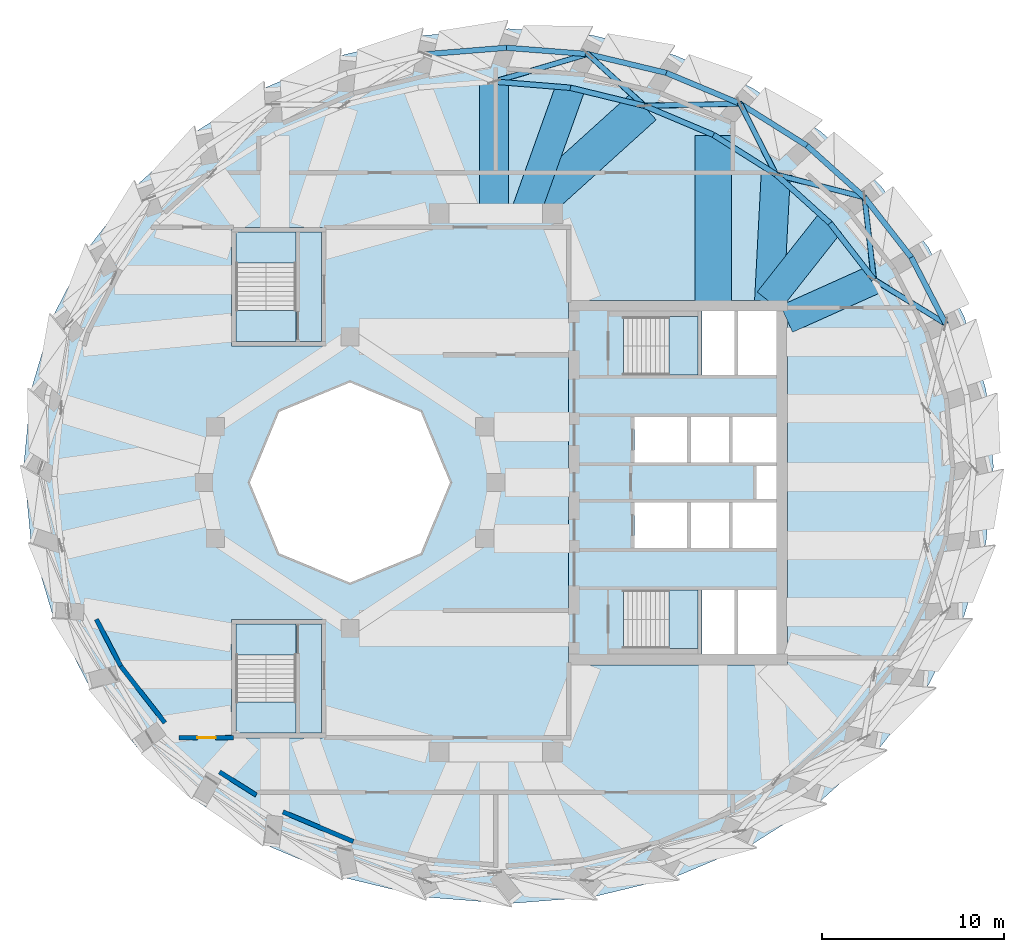
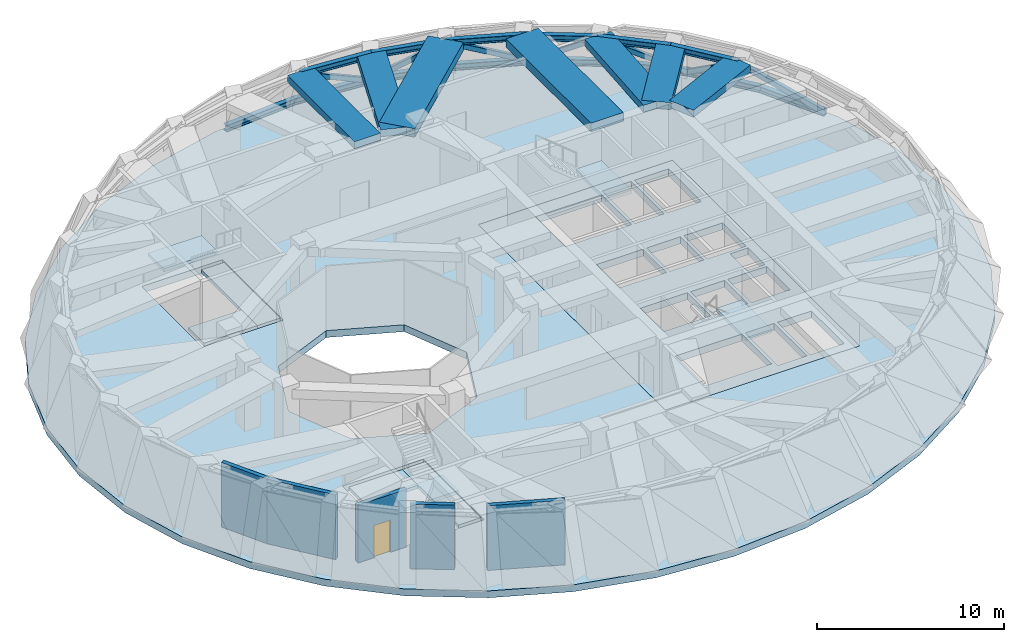
# One storey, part 4 of 14: 21 members, 10 slabs, 7 beams, 5 walls, 1 door, 1 opening, 4 elements without a shape of their own.
"""IFC4 building model written with IfcOpenShell, lengths in metres."""

import ifcopenshell
import ifcopenshell.guid

model = None  # the IFC model being written
_history = None  # IfcOwnerHistory: only IFC2X3 demands one
_inside = {}  # id of a spatial element -> (the spatial element, [elements in it])
_under = {}  # id of a project, library or spatial element -> (it, [spatial elements below it])
_declared = {}  # id of a project -> (the project, [libraries it declares])
_typed = {}  # id of a type object -> (the type object, [elements of that type])
_made_of = {}  # id of a material, layer set ... -> (it, [elements and type objects made of it])


def new_model(schema):
    """Start an empty IFC model of exactly this schema.

    Asked for "IFC4X3", IfcOpenShell would pick the latest addendum, in which some entities
    have other attributes; the version numbers below select the first issue.
    IFC2X3 requires an IfcOwnerHistory on every rooted entity: one is made here for all.
    """
    global model, _history
    if schema == "IFC4X3":
        model = ifcopenshell.file(schema_version=(4, 3, 0, 0))
    else:
        model = ifcopenshell.file(schema=schema)
    _inside.clear()
    _under.clear()
    _declared.clear()
    _typed.clear()
    _made_of.clear()
    _history = None
    if model.schema == "IFC2X3":
        org = make("IfcOrganization", Name="unknown")
        user = make(
            "IfcPersonAndOrganization",
            ThePerson=make("IfcPerson", FamilyName="unknown"),
            TheOrganization=org,
        )
        app = make(
            "IfcApplication",
            ApplicationDeveloper=org,
            Version="unknown",
            ApplicationFullName="unknown",
            ApplicationIdentifier="unknown",
        )
        _history = make(
            "IfcOwnerHistory",
            OwningUser=user,
            OwningApplication=app,
            ChangeAction="ADDED",
            CreationDate=0,
        )
    return model


def make(cls, **values):
    """One entity of the class cls with the attributes given. An attribute that is None is left unset."""
    return model.create_entity(
        cls, **{name: value for name, value in values.items() if value is not None}
    )


def rooted(cls, **values):
    """An entity with a GlobalId (a new one), such as an element, a storey or a relation."""
    return make(cls, GlobalId=ifcopenshell.guid.new(), OwnerHistory=_history, **values)


def si_unit(unit_type, name, prefix=None):
    """IfcSIUnit, for example si_unit("LENGTHUNIT", "METRE", prefix="MILLI")."""
    return make("IfcSIUnit", UnitType=unit_type, Prefix=prefix, Name=name)


def assignment(units):
    """IfcUnitAssignment: the units of a project."""
    return None if units is None else make("IfcUnitAssignment", Units=units)


def point(xyz):
    """IfcCartesianPoint."""
    return None if xyz is None else make("IfcCartesianPoint", Coordinates=xyz)


def direction(xyz):
    """IfcDirection."""
    return None if xyz is None else make("IfcDirection", DirectionRatios=xyz)


def frame(location, z_axis=None, x_axis=None):
    """IfcAxis2Placement3D, a coordinate frame: its origin and axes. An axis left out is left unset."""
    return make(
        "IfcAxis2Placement3D",
        Location=point(location),
        Axis=direction(z_axis),
        RefDirection=direction(x_axis),
    )


def frame_2d(location, x_axis=None):
    """IfcAxis2Placement2D, a coordinate frame in the plane: its origin and x axis."""
    return make(
        "IfcAxis2Placement2D", Location=point(location), RefDirection=direction(x_axis)
    )


def origin():
    """The frame at (0, 0, 0) with its axes left unset."""
    return frame((0.0, 0.0, 0.0))


def origin_2d():
    """The frame at (0, 0) in the plane with its x axis left unset."""
    return frame_2d((0.0, 0.0))


def place(relative_to, where):
    """IfcLocalPlacement: puts the frame where relative to a parent placement (None: the world)."""
    return make(
        "IfcLocalPlacement", PlacementRelTo=relative_to, RelativePlacement=where
    )


def context(
    kind, dimensions, precision=None, world=None, true_north=None, identifier=None
):
    """IfcGeometricRepresentationContext, for example the 3D "Model" context."""
    return make(
        "IfcGeometricRepresentationContext",
        ContextIdentifier=identifier,
        ContextType=kind,
        CoordinateSpaceDimension=dimensions,
        Precision=precision,
        WorldCoordinateSystem=world,
        TrueNorth=true_north,
    )


def subcontext(parent, identifier, kind, view, scale=None):
    """IfcGeometricRepresentationSubContext, for example "Body" below "Model"."""
    return make(
        "IfcGeometricRepresentationSubContext",
        ContextIdentifier=identifier,
        ContextType=kind,
        ParentContext=parent,
        TargetScale=scale,
        TargetView=view,
    )


def project(units=None, contexts=None):
    """IfcProject with its units and contexts."""
    return rooted(
        "IfcProject",
        Name="project",
        RepresentationContexts=contexts,
        UnitsInContext=assignment(units),
    )


def spatial(cls, under=None, at=None, **own):
    """A site, building, storey or space (cls), placed at a placement, below another one or the project."""
    s = rooted(cls, ObjectPlacement=at, **own)
    if under is not None:
        _under.setdefault(under.id(), (under, []))[1].append(s)
    return s


def polyline(points):
    """IfcPolyline through the points."""
    return make("IfcPolyline", Points=[point(p) for p in points])


def profile(cls, at=None, kind="AREA", **sizes):
    """A parametric profile (cls). Its sizes go by their IFC names, for example OverallWidth=200.0."""
    return make(cls, ProfileType=kind, Position=at, **sizes)


def rectangle(**sizes):
    """IfcRectangleProfileDef."""
    return profile("IfcRectangleProfileDef", **sizes)


def hollow_rectangle(**sizes):
    """IfcRectangleHollowProfileDef."""
    return profile("IfcRectangleHollowProfileDef", **sizes)


def i_section(**sizes):
    """IfcIShapeProfileDef."""
    return profile("IfcIShapeProfileDef", **sizes)


def outline(outer, holes=None, kind="AREA"):
    """IfcArbitraryClosedProfileDef: a profile drawn as a closed curve; with holes, ...WithVoids."""
    if holes is None:
        return make("IfcArbitraryClosedProfileDef", ProfileType=kind, OuterCurve=outer)
    return make(
        "IfcArbitraryProfileDefWithVoids",
        ProfileType=kind,
        OuterCurve=outer,
        InnerCurves=holes,
    )


def extrude(swept, where, along, depth):
    """IfcExtrudedAreaSolid: the profile swept, set in the frame where, extruded along a direction by depth."""
    return make(
        "IfcExtrudedAreaSolid",
        SweptArea=swept,
        Position=where,
        ExtrudedDirection=direction(along),
        Depth=depth,
    )


def shape(context_of_items, identifier, shape_type, items):
    """IfcShapeRepresentation: the items that make up one representation, for example the "Body"."""
    return make(
        "IfcShapeRepresentation",
        ContextOfItems=context_of_items,
        RepresentationIdentifier=identifier,
        RepresentationType=shape_type,
        Items=items,
    )


def material(Name=None, Category=None):
    """IfcMaterial."""
    return make("IfcMaterial", Name=Name, Category=Category)


def layer(
    of_material, thickness, ventilated=None, Name=None, Category=None, Priority=None
):
    """IfcMaterialLayer: one layer of a wall or slab, of a material (None: an air gap)."""
    return make(
        "IfcMaterialLayer",
        Material=of_material,
        LayerThickness=thickness,
        IsVentilated=ventilated,
        Name=Name,
        Category=Category,
        Priority=Priority,
    )


def layer_set(layers, Name=None):
    """IfcMaterialLayerSet."""
    return make("IfcMaterialLayerSet", MaterialLayers=layers, LayerSetName=Name)


def material_profile(
    of_material, cross_section, Name=None, Category=None, Priority=None
):
    """IfcMaterialProfile: a cross section and its material."""
    return make(
        "IfcMaterialProfile",
        Name=Name,
        Material=of_material,
        Profile=cross_section,
        Priority=Priority,
        Category=Category,
    )


def profile_set(profiles, Name=None, composite=None):
    """IfcMaterialProfileSet."""
    return make(
        "IfcMaterialProfileSet",
        Name=Name,
        MaterialProfiles=profiles,
        CompositeProfile=composite,
    )


def made_of(thing, what):
    """Note that an element or type object is made of a material, layer set ...; save() writes the relation."""
    if what is not None:
        _made_of.setdefault(what.id(), (what, []))[1].append(thing)
    return thing


def type_object(cls, material=None, **own):
    """A type object (cls), such as IfcWallType, which elements share."""
    return made_of(rooted(cls, **own), material)


def element(
    cls,
    number,
    at=None,
    inside=None,
    cuts=None,
    type_object=None,
    material=None,
    context=None,
    identifier="Body",
    shape_type=None,
    held_by="IfcProductDefinitionShape",
    body=None,
    shapes=None,
    **own,
):
    """One element of the class cls, such as IfcWall. Its Tag is "e" and its number.

    at: its placement. inside: the storey or other place that contains it. cuts: it is an
    opening in that element (IfcRelVoidsElement). A single representation is given by context,
    identifier, shape_type and body (its items); several are given by shapes. held_by: the class
    of the entity that holds the representations. save() writes the other relations.
    """
    e = rooted(cls, Tag="e%d" % number, ObjectPlacement=at, **own)
    if body is not None:
        shapes = [shape(context, identifier, shape_type, body)]
    if shapes is not None:
        e.Representation = make(held_by, Representations=shapes)
    if inside is not None:
        _inside.setdefault(inside.id(), (inside, []))[1].append(e)
    if cuts is not None:
        rooted(
            "IfcRelVoidsElement", RelatingBuildingElement=cuts, RelatedOpeningElement=e
        )
    if type_object is not None:
        _typed.setdefault(type_object.id(), (type_object, []))[1].append(e)
    return made_of(e, material)


def fill(opening, filler):
    """IfcRelFillsElement: the door or window that sits in an opening."""
    return rooted(
        "IfcRelFillsElement",
        RelatingOpeningElement=opening,
        RelatedBuildingElement=filler,
    )


def aggregate(whole, parts):
    """IfcRelAggregates: a whole, such as a stair, and the parts it consists of."""
    return rooted("IfcRelAggregates", RelatingObject=whole, RelatedObjects=parts)


def save(model, path):
    """Write the relations noted so far, then the file.

    IfcRelAggregates (storeys below a building ...), IfcRelContainedInSpatialStructure (elements
    in a storey), IfcRelDefinesByType, IfcRelAssociatesMaterial and IfcRelDeclares: one each for
    every whole, place, type object, material and project.
    """
    for whole, parts in _under.values():
        aggregate(whole, parts)
    for where, things in _inside.values():
        rooted(
            "IfcRelContainedInSpatialStructure",
            RelatedElements=things,
            RelatingStructure=where,
        )
    for kind, things in _typed.values():
        rooted("IfcRelDefinesByType", RelatedObjects=things, RelatingType=kind)
    for what, things in _made_of.values():
        rooted("IfcRelAssociatesMaterial", RelatedObjects=things, RelatingMaterial=what)
    for by, libraries in _declared.values():
        rooted("IfcRelDeclares", RelatingContext=by, RelatedDefinitions=libraries)
    model.write(path)


model = new_model("IFC4")

# Units and contexts
model_context = context("Model", 3, precision=1e-05, world=origin(), true_north=direction((0.0, 1.0)))
body_context = subcontext(model_context, "Body", "Model", "MODEL_VIEW")
ifc_project = project(units=[si_unit("LENGTHUNIT", "METRE"), si_unit("AREAUNIT", "SQUARE_METRE"), si_unit("VOLUMEUNIT", "CUBIC_METRE"), si_unit("PLANEANGLEUNIT", "RADIAN"), si_unit("MASSUNIT", "GRAM", prefix="KILO")], contexts=[model_context])

# Site, building, storey
site_placement = place(None, origin())
site = spatial("IfcSite", under=ifc_project, at=site_placement, CompositionType="ELEMENT")
building_placement = place(site_placement, origin())
building = spatial("IfcBuilding", under=site, at=building_placement, Name="Taillehof Tower", CompositionType="ELEMENT")
storey_placement = place(building_placement, frame((0.0, 0.0, 228.800048828125)))
storey = spatial("IfcBuildingStorey", under=building, at=storey_placement, Name="L65", CompositionType="ELEMENT", Elevation=228.800048828125)

# Members
ifc_material_1 = material(Name="Steel S460M", Category="steel")
ifc_material_profile_1 = material_profile(ifc_material_1, i_section(OverallWidth=0.300048828125, OverallDepth=0.39990234375, WebThickness=0.013427734375, FlangeThickness=0.02392578125, FilletRadius=0.027099609375, at=origin_2d()), Name="HEB 400")
ifc_profile_set_1 = profile_set([ifc_material_profile_1], Name="Steel S460M")
member_type_1 = type_object("IfcMemberType", Name="Belt truss chord HEB 400", PredefinedType="CHORD", material=ifc_profile_set_1)
member_1_placement = place(storey_placement, frame((24.682373046875, 8.7099609375, 0.89990234375), z_axis=(-0.46021291988, 0.887808576426, 0.0), x_axis=(-0.887808576426, -0.46021291988, 0.0)))
element("IfcMember", 1, at=member_1_placement, inside=storey, type_object=member_type_1, Name="Belt truss bottom chord BB03", PredefinedType="CHORD", context=body_context, shape_type="SweptSolid", body=[
    extrude(i_section(OverallWidth=0.300048828125, OverallDepth=0.39990234375, WebThickness=0.013427734375, FlangeThickness=0.02392578125, FilletRadius=0.027099609375, at=origin_2d()), origin(), (0.0, 0.0, 1.0), 4.101806640625),
])
member_2_placement = place(storey_placement, frame((22.794677734375, 12.3515625, 0.89990234375), z_axis=(-0.614600862786, 0.788838246704, 0.0), x_axis=(-0.788838246704, -0.614600862786, 0.0)))
element("IfcMember", 2, at=member_2_placement, inside=storey, type_object=member_type_1, Name="Belt truss bottom chord BB04", PredefinedType="CHORD", context=body_context, shape_type="SweptSolid", body=[
    extrude(i_section(OverallWidth=0.300048828125, OverallDepth=0.39990234375, WebThickness=0.013427734375, FlangeThickness=0.02392578125, FilletRadius=0.027099609375, at=origin_2d()), origin(), (0.0, 0.0, 1.0), 4.17138671875),
])
member_3_placement = place(storey_placement, frame((20.744140625, 11.134521484375, 4.02001953125), z_axis=(-0.613530746634, 0.789670832014, 0.0), x_axis=(-0.789670832014, -0.613530746634, 0.0)))
element("IfcMember", 3, at=member_3_placement, inside=storey, type_object=member_type_1, Name="Belt truss top chord BT04", PredefinedType="CHORD", context=body_context, shape_type="SweptSolid", body=[
    extrude(i_section(OverallWidth=0.300048828125, OverallDepth=0.39990234375, WebThickness=0.013427734375, FlangeThickness=0.02392578125, FilletRadius=0.027099609375, at=origin_2d()), origin(), (0.0, 0.0, 1.0), 3.91845703125),
])
member_4_placement = place(storey_placement, frame((20.23095703125, 15.64208984375, 0.89990234375), z_axis=(-0.743933851277, 0.668253264058, 0.0), x_axis=(-0.668253264058, -0.743933851277, 0.0)))
element("IfcMember", 4, at=member_4_placement, inside=storey, type_object=member_type_1, Name="Belt truss bottom chord BB05", PredefinedType="CHORD", context=body_context, shape_type="SweptSolid", body=[
    extrude(i_section(OverallWidth=0.300048828125, OverallDepth=0.39990234375, WebThickness=0.013427734375, FlangeThickness=0.02392578125, FilletRadius=0.027099609375, at=origin_2d()), origin(), (0.0, 0.0, 1.0), 4.24853515625),
])
member_5_placement = place(storey_placement, frame((18.340087890625, 14.228759765625, 4.02001953125), z_axis=(-0.742542278174, 0.669799197614, 0.0), x_axis=(-0.669799197614, -0.742542278174, 0.0)))
element("IfcMember", 5, at=member_5_placement, inside=storey, type_object=member_type_1, Name="Belt truss top chord BT05", PredefinedType="CHORD", context=body_context, shape_type="SweptSolid", body=[
    extrude(i_section(OverallWidth=0.300048828125, OverallDepth=0.39990234375, WebThickness=0.013427734375, FlangeThickness=0.02392578125, FilletRadius=0.027099609375, at=origin_2d()), origin(), (0.0, 0.0, 1.0), 3.990478515625),
])
member_6_placement = place(storey_placement, frame((17.0703125, 18.481201171875, 0.89990234375), z_axis=(-0.846695409349, 0.532077892594, 0.0), x_axis=(-0.532077892594, -0.846695409349, 0.0)))
element("IfcMember", 6, at=member_6_placement, inside=storey, type_object=member_type_1, Name="Belt truss bottom chord BB06", PredefinedType="CHORD", context=body_context, shape_type="SweptSolid", body=[
    extrude(i_section(OverallWidth=0.300048828125, OverallDepth=0.39990234375, WebThickness=0.013427734375, FlangeThickness=0.02392578125, FilletRadius=0.027099609375, at=origin_2d()), origin(), (0.0, 0.0, 1.0), 4.32470703125),
])
member_7_placement = place(storey_placement, frame((15.376953125, 16.901611328125, 4.02001953125), z_axis=(-0.845217383369, 0.53442265563, 0.0), x_axis=(-0.53442265563, -0.845217383369, 0.0)))
element("IfcMember", 7, at=member_7_placement, inside=storey, type_object=member_type_1, Name="Belt truss top chord BT06", PredefinedType="CHORD", context=body_context, shape_type="SweptSolid", body=[
    extrude(i_section(OverallWidth=0.300048828125, OverallDepth=0.39990234375, WebThickness=0.013427734375, FlangeThickness=0.02392578125, FilletRadius=0.027099609375, at=origin_2d()), origin(), (0.0, 0.0, 1.0), 4.061279296875),
])
member_8_placement = place(storey_placement, frame((13.40869140625, 20.7822265625, 0.89990234375), z_axis=(-0.922628811258, 0.385689093231, 0.0), x_axis=(-0.385689093231, -0.922628811258, 0.0)))
element("IfcMember", 8, at=member_8_placement, inside=storey, type_object=member_type_1, Name="Belt truss bottom chord BB07", PredefinedType="CHORD", context=body_context, shape_type="SweptSolid", body=[
    extrude(i_section(OverallWidth=0.300048828125, OverallDepth=0.39990234375, WebThickness=0.013427734375, FlangeThickness=0.02392578125, FilletRadius=0.027099609375, at=origin_2d()), origin(), (0.0, 0.0, 1.0), 4.390380859375),
])
member_9_placement = place(storey_placement, frame((11.9443359375, 19.072021484375, 4.02001953125), z_axis=(-0.921414521314, 0.38858111111, 0.0), x_axis=(-0.38858111111, -0.921414521314, 0.0)))
element("IfcMember", 9, at=member_9_placement, inside=storey, type_object=member_type_1, Name="Belt truss top chord BT07", PredefinedType="CHORD", context=body_context, shape_type="SweptSolid", body=[
    extrude(i_section(OverallWidth=0.300048828125, OverallDepth=0.39990234375, WebThickness=0.013427734375, FlangeThickness=0.02392578125, FilletRadius=0.027099609375, at=origin_2d()), origin(), (0.0, 0.0, 1.0), 4.122802734375),
])
member_10_placement = place(storey_placement, frame((9.35791015625, 22.4755859375, 0.89990234375), z_axis=(-0.972483592262, 0.232971377601, 0.0), x_axis=(-0.232971377601, -0.972483592262, 0.0)))
element("IfcMember", 10, at=member_10_placement, inside=storey, type_object=member_type_1, Name="Belt truss bottom chord BB08", PredefinedType="CHORD", context=body_context, shape_type="SweptSolid", body=[
    extrude(i_section(OverallWidth=0.300048828125, OverallDepth=0.39990234375, WebThickness=0.013427734375, FlangeThickness=0.02392578125, FilletRadius=0.027099609375, at=origin_2d()), origin(), (0.0, 0.0, 1.0), 4.43798828125),
])
member_11_placement = place(storey_placement, frame((8.1455078125, 20.674072265625, 4.02001953125), z_axis=(-0.971666512417, 0.236356063275, 0.0), x_axis=(-0.236356063275, -0.971666512417, 0.0)))
element("IfcMember", 11, at=member_11_placement, inside=storey, type_object=member_type_1, Name="Belt truss top chord BT08", PredefinedType="CHORD", context=body_context, shape_type="SweptSolid", body=[
    extrude(i_section(OverallWidth=0.300048828125, OverallDepth=0.39990234375, WebThickness=0.013427734375, FlangeThickness=0.02392578125, FilletRadius=0.027099609375, at=origin_2d()), origin(), (0.0, 0.0, 1.0), 4.16796875),
])
member_12_placement = place(storey_placement, frame((5.0419921875, 23.509521484375, 0.89990234375), z_axis=(-0.997029657278, 0.077018585475, 0.0), x_axis=(-0.077018585475, -0.997029657278, 0.0)))
element("IfcMember", 12, at=member_12_placement, inside=storey, type_object=member_type_1, Name="Belt truss bottom chord BB09", PredefinedType="CHORD", context=body_context, shape_type="SweptSolid", body=[
    extrude(i_section(OverallWidth=0.300048828125, OverallDepth=0.39990234375, WebThickness=0.013427734375, FlangeThickness=0.02392578125, FilletRadius=0.027099609375, at=origin_2d()), origin(), (0.0, 0.0, 1.0), 4.463134765625),
])
member_13_placement = place(storey_placement, frame((4.095703125, 21.6591796875, 4.02001953125), z_axis=(-0.996751450054, 0.080539101158, 0.0), x_axis=(-0.080539101158, -0.996751450054, 0.0)))
element("IfcMember", 13, at=member_13_placement, inside=storey, type_object=member_type_1, Name="Belt truss top chord BT09", PredefinedType="CHORD", context=body_context, shape_type="SweptSolid", body=[
    extrude(i_section(OverallWidth=0.300048828125, OverallDepth=0.39990234375, WebThickness=0.013427734375, FlangeThickness=0.02392578125, FilletRadius=0.027099609375, at=origin_2d()), origin(), (0.0, 0.0, 1.0), 4.1923828125),
])
member_14_placement = place(storey_placement, frame((0.592041015625, 23.853271484375, 0.89990234375), z_axis=(-0.996796114772, -0.079984408331, 0.0), x_axis=(0.079984408331, -0.996796114772, 0.0)))
element("IfcMember", 14, at=member_14_placement, inside=storey, type_object=member_type_1, Name="Belt truss bottom chord BB10", PredefinedType="CHORD", context=body_context, shape_type="SweptSolid", body=[
    extrude(i_section(OverallWidth=0.300048828125, OverallDepth=0.39990234375, WebThickness=0.013427734375, FlangeThickness=0.02392578125, FilletRadius=0.027099609375, at=origin_2d()), origin(), (0.0, 0.0, 1.0), 4.462646484375),
])
ifc_material_2 = material(Name="Steel S460M", Category="steel")
ifc_material_profile_2 = material_profile(ifc_material_2, hollow_rectangle(XDim=0.300048828125, YDim=0.300048828125, WallThickness=0.012451171875, InnerFilletRadius=0.012451171875, OuterFilletRadius=0.018798828125, at=origin_2d()), Name="RHS 300x300x12.5")
ifc_profile_set_2 = profile_set([ifc_material_profile_2], Name="Steel S460M")
member_type_2 = type_object("IfcMemberType", Name="Belt truss diagonal RHS 300x300x12.5", PredefinedType="BRACE", material=ifc_profile_set_2)
member_15_placement = place(storey_placement, frame((24.682373046875, 8.7099609375, 0.89990234375), z_axis=(-0.705924940213, 0.434600494778, 0.559278453656), x_axis=(-0.524259411841, -0.851558611662, 0.0)))
element("IfcMember", 15, at=member_15_placement, inside=storey, type_object=member_type_2, Name="Belt truss diagonal BX03", PredefinedType="BRACE", context=body_context, shape_type="SweptSolid", body=[
    extrude(hollow_rectangle(XDim=0.300048828125, YDim=0.300048828125, WallThickness=0.012451171875, InnerFilletRadius=0.012451171875, OuterFilletRadius=0.018798828125, at=origin_2d()), origin(), (0.0, 0.0, 1.0), 5.578857421875),
])
member_16_placement = place(storey_placement, frame((20.744140625, 11.134521484375, 4.02001953125), z_axis=(-0.093203469375, 0.81865635351, -0.566669999342), x_axis=(-0.993581495071, -0.113118577839, 0.0)))
element("IfcMember", 16, at=member_16_placement, inside=storey, type_object=member_type_2, Name="Belt truss diagonal BX04", PredefinedType="BRACE", context=body_context, shape_type="SweptSolid", body=[
    extrude(hollow_rectangle(XDim=0.300048828125, YDim=0.300048828125, WallThickness=0.012451171875, InnerFilletRadius=0.012451171875, OuterFilletRadius=0.018798828125, at=origin_2d()), origin(), (0.0, 0.0, 1.0), 5.506103515625),
])
member_17_placement = place(storey_placement, frame((20.23095703125, 15.64208984375, 0.89990234375), z_axis=(-0.82185264516, 0.213255094879, 0.528280696366), x_axis=(-0.251163211495, -0.967944751105, 0.0)))
element("IfcMember", 17, at=member_17_placement, inside=storey, type_object=member_type_2, Name="Belt truss diagonal BX05", PredefinedType="BRACE", context=body_context, shape_type="SweptSolid", body=[
    extrude(hollow_rectangle(XDim=0.300048828125, YDim=0.300048828125, WallThickness=0.012451171875, InnerFilletRadius=0.012451171875, OuterFilletRadius=0.018798828125, at=origin_2d()), origin(), (0.0, 0.0, 1.0), 5.90625),
])
member_18_placement = place(storey_placement, frame((15.376953125, 16.901611328125, 4.02001953125), z_axis=(-0.36760500921, 0.724768248747, -0.582732822837), x_axis=(-0.891842660897, -0.452345739676, 0.0)))
element("IfcMember", 18, at=member_18_placement, inside=storey, type_object=member_type_2, Name="Belt truss diagonal BX06", PredefinedType="BRACE", context=body_context, shape_type="SweptSolid", body=[
    extrude(hollow_rectangle(XDim=0.300048828125, YDim=0.300048828125, WallThickness=0.012451171875, InnerFilletRadius=0.012451171875, OuterFilletRadius=0.018798828125, at=origin_2d()), origin(), (0.0, 0.0, 1.0), 5.354248046875),
])
member_19_placement = place(storey_placement, frame((13.40869140625, 20.7822265625, 0.89990234375), z_axis=(-0.860071606486, -0.017673797276, 0.509867108771), x_axis=(0.02054487878, -0.999788931703, 0.0)))
element("IfcMember", 19, at=member_19_placement, inside=storey, type_object=member_type_2, Name="Belt truss diagonal BX07", PredefinedType="BRACE", context=body_context, shape_type="SweptSolid", body=[
    extrude(hollow_rectangle(XDim=0.300048828125, YDim=0.300048828125, WallThickness=0.012451171875, InnerFilletRadius=0.012451171875, OuterFilletRadius=0.018798828125, at=origin_2d()), origin(), (0.0, 0.0, 1.0), 6.119384765625),
])
member_20_placement = place(storey_placement, frame((8.1455078125, 20.674072265625, 4.02001953125), z_axis=(-0.592823569599, 0.54161838714, -0.595994746655), x_axis=(-0.674503433351, -0.738271710414, 0.0)))
element("IfcMember", 20, at=member_20_placement, inside=storey, type_object=member_type_2, Name="Belt truss diagonal BX08", PredefinedType="BRACE", context=body_context, shape_type="SweptSolid", body=[
    extrude(hollow_rectangle(XDim=0.300048828125, YDim=0.300048828125, WallThickness=0.012451171875, InnerFilletRadius=0.012451171875, OuterFilletRadius=0.018798828125, at=origin_2d()), origin(), (0.0, 0.0, 1.0), 5.235107421875),
])
member_21_placement = place(storey_placement, frame((5.0419921875, 23.509521484375, 0.89990234375), z_axis=(-0.828241216005, -0.244463727819, 0.504236029942), x_axis=(0.283086367781, -0.959094420991, 0.0)))
element("IfcMember", 21, at=member_21_placement, inside=storey, type_object=member_type_2, Name="Belt truss diagonal BX09", PredefinedType="BRACE", context=body_context, shape_type="SweptSolid", body=[
    extrude(hollow_rectangle(XDim=0.300048828125, YDim=0.300048828125, WallThickness=0.012451171875, InnerFilletRadius=0.012451171875, OuterFilletRadius=0.018798828125, at=origin_2d()), origin(), (0.0, 0.0, 1.0), 6.187744140625),
])

# Beams
ifc_material_3 = material(Name="Concrete C50/60", Category="concrete")
ifc_material_profile_3 = material_profile(ifc_material_3, rectangle(XDim=1.60009765625, YDim=0.449951171875, at=origin_2d()), Name="RC 1600x450")
ifc_profile_set_3 = profile_set([ifc_material_profile_3], Name="Concrete C50/60")
beam_type_1 = type_object("IfcBeamType", Name="Radial band beam C50/60 1600x450", PredefinedType="BEAM", material=ifc_profile_set_3)
beam_1_placement = place(storey_placement, frame((20.72802734375, 11.125, 3.994873046875), z_axis=(-0.912110813011, -0.409943733685, 0.0), x_axis=(0.409943733685, -0.912110813011, 0.0)))
element("IfcBeam", 22, at=beam_1_placement, inside=storey, type_object=beam_type_1, Name="Radial band beam RB04", PredefinedType="BEAM", context=body_context, shape_type="SweptSolid", body=[
    extrude(rectangle(XDim=1.60009765625, YDim=0.449951171875, at=origin_2d()), origin(), (0.0, 0.0, 1.0), 5.233642578125),
])
beam_2_placement = place(storey_placement, frame((18.323486328125, 14.21630859375, 3.994873046875), z_axis=(-0.619052480422, -0.785349620541, 0.0), x_axis=(0.785349620541, -0.619052480422, 0.0)))
element("IfcBeam", 23, at=beam_2_placement, inside=storey, type_object=beam_type_1, Name="Radial band beam RB05", PredefinedType="BEAM", context=body_context, shape_type="SweptSolid", body=[
    extrude(rectangle(XDim=1.60009765625, YDim=0.449951171875, at=origin_2d()), origin(), (0.0, 0.0, 1.0), 5.418701171875),
])
beam_3_placement = place(storey_placement, frame((15.359130859375, 16.884765625, 3.994873046875), z_axis=(-0.052103045939, -0.998641713831, 0.0), x_axis=(0.998641713831, -0.052103045939, 0.0)))
element("IfcBeam", 24, at=beam_3_placement, inside=storey, type_object=beam_type_1, Name="Radial band beam RB06", PredefinedType="BEAM", context=body_context, shape_type="SweptSolid", body=[
    extrude(rectangle(XDim=1.60009765625, YDim=0.449951171875, at=origin_2d()), origin(), (0.0, 0.0, 1.0), 6.9443359375),
])
beam_4_placement = place(storey_placement, frame((4.076171875, 21.62109375, 3.994873046875), z_axis=(-0.33687426523, -0.941549642571, 0.0), x_axis=(0.941549642571, -0.33687426523, 0.0)))
element("IfcBeam", 25, at=beam_4_placement, inside=storey, type_object=beam_type_1, Name="Radial band beam RB09", PredefinedType="BEAM", context=body_context, shape_type="SweptSolid", body=[
    extrude(rectangle(XDim=1.60009765625, YDim=0.449951171875, at=origin_2d()), origin(), (0.0, 0.0, 1.0), 7.27392578125),
])
beam_5_placement = place(storey_placement, frame((-0.10009765625, 21.949951171875, 3.994873046875), z_axis=(0.0, -1.0, 0.0), x_axis=(1.0, 0.0, 0.0)))
element("IfcBeam", 26, at=beam_5_placement, inside=storey, type_object=beam_type_1, Name="Radial band beam RB10", PredefinedType="BEAM", context=body_context, shape_type="SweptSolid", body=[
    extrude(rectangle(XDim=1.60009765625, YDim=0.449951171875, at=origin_2d()), origin(), (0.0, 0.0, 1.0), 7.177734375),
])
ifc_material_4 = material(Name="Concrete C50/60", Category="concrete")
ifc_material_profile_4 = material_profile(ifc_material_4, rectangle(XDim=2.0, YDim=0.550048828125, at=origin_2d()), Name="RC 2000x550")
ifc_profile_set_4 = profile_set([ifc_material_profile_4], Name="Concrete C50/60")
beam_type_2 = type_object("IfcBeamType", Name="Radial band beam C50/60 2000x550", PredefinedType="BEAM", material=ifc_profile_set_4)
beam_6_placement = place(storey_placement, frame((11.925048828125, 19.049560546875, 3.945068359375), z_axis=(0.0, -1.0, 0.0), x_axis=(1.0, 0.0, 0.0)))
element("IfcBeam", 27, at=beam_6_placement, inside=storey, type_object=beam_type_2, Name="Radial band beam RB07", PredefinedType="BEAM", context=body_context, shape_type="SweptSolid", body=[
    extrude(rectangle(XDim=2.0, YDim=0.550048828125, at=origin_2d()), origin(), (0.0, 0.0, 1.0), 9.099609375),
])
beam_7_placement = place(storey_placement, frame((8.12548828125, 20.644287109375, 3.945068359375), z_axis=(-0.742027740169, -0.670369176514, 0.0), x_axis=(0.670369176514, -0.742027740169, 0.0)))
element("IfcBeam", 28, at=beam_7_placement, inside=storey, type_object=beam_type_2, Name="Radial band beam RB08", PredefinedType="BEAM", context=body_context, shape_type="SweptSolid", body=[
    extrude(rectangle(XDim=2.0, YDim=0.550048828125, at=origin_2d()), origin(), (0.0, 0.0, 1.0), 8.47314453125),
])

# Slabs
ifc_material_5 = material(Name="Concrete C40/50", Category="concrete")
ifc_layer_1 = layer(ifc_material_5, 0.449951171875)
ifc_layer_set_1 = layer_set([ifc_layer_1], Name="Core floor slab C40/50 450")
slab_type_1 = type_object("IfcSlabType", Name="Core floor slab C40/50 450", PredefinedType="FLOOR", material=ifc_layer_set_1)
slab_1_placement = place(storey_placement, frame((0.0, 0.0, -0.449951171875)))
element("IfcSlab", 29, at=slab_1_placement, inside=storey, type_object=slab_type_1, Name="Core floor L65", PredefinedType="FLOOR", context=body_context, shape_type="SweptSolid", body=[
    extrude(outline(polyline([(4.0, -10.0), (4.0, 10.0), (16.0, 10.0), (16.0, -10.0), (4.0, -10.0)]), holes=[polyline([(11.10009765625, -9.10009765625), (11.10009765625, -5.89990234375), (7.00048828125, -5.89990234375), (7.00048828125, -9.10009765625), (11.10009765625, -9.10009765625)]), polyline([(10.5, -3.60009765625), (10.5, -1.10009765625), (7.60009765625, -1.10009765625), (7.60009765625, -3.60009765625), (10.5, -3.60009765625)]), polyline([(12.800048828125, -3.60009765625), (12.800048828125, -1.10009765625), (10.699951171875, -1.10009765625), (10.699951171875, -3.60009765625), (12.800048828125, -3.60009765625)]), polyline([(10.5, 3.60009765625), (7.60009765625, 3.60009765625), (7.60009765625, 1.10009765625), (10.5, 1.10009765625), (10.5, 3.60009765625)]), polyline([(12.800048828125, 1.10009765625), (12.800048828125, 3.60009765625), (10.699951171875, 3.60009765625), (10.699951171875, 1.10009765625), (12.800048828125, 1.10009765625)]), polyline([(11.10009765625, 5.89990234375), (11.10009765625, 9.10009765625), (7.00048828125, 9.10009765625), (7.00048828125, 5.89990234375), (11.10009765625, 5.89990234375)]), polyline([(13.10009765625, 9.39990234375), (11.300048828125, 9.39990234375), (11.300048828125, 5.89990234375), (13.10009765625, 5.89990234375), (13.10009765625, 9.39990234375)]), polyline([(13.10009765625, -9.39990234375), (13.10009765625, -5.89990234375), (11.300048828125, -5.89990234375), (11.300048828125, -9.39990234375), (13.10009765625, -9.39990234375)]), polyline([(15.39990234375, -9.39990234375), (15.39990234375, -5.89990234375), (13.300048828125, -5.89990234375), (13.300048828125, -9.39990234375), (15.39990234375, -9.39990234375)]), polyline([(15.39990234375, -3.60009765625), (15.39990234375, -1.10009765625), (13.0, -1.10009765625), (13.0, -3.60009765625), (15.39990234375, -3.60009765625)]), polyline([(15.39990234375, -0.89990234375), (15.39990234375, 0.89990234375), (14.300048828125, 0.89990234375), (14.300048828125, -0.89990234375), (15.39990234375, -0.89990234375)]), polyline([(15.39990234375, 1.10009765625), (15.39990234375, 3.60009765625), (13.0, 3.60009765625), (13.0, 1.10009765625), (15.39990234375, 1.10009765625)]), polyline([(15.39990234375, 5.89990234375), (15.39990234375, 9.39990234375), (13.300048828125, 9.39990234375), (13.300048828125, 5.89990234375), (15.39990234375, 5.89990234375)])]), origin(), (0.0, 0.0, 1.0), 0.449951171875),
])
ifc_material_6 = material(Name="Concrete C40/50", Category="concrete")
ifc_layer_2 = layer(ifc_material_6, 0.449951171875)
ifc_layer_set_2 = layer_set([ifc_layer_2], Name="Floor slab 450")
slab_type_2 = type_object("IfcSlabType", Name="Floor slab 450", PredefinedType="FLOOR", material=ifc_layer_set_2)
slab_2_placement = place(storey_placement, frame((0.0, 0.0, -0.449951171875)))
element("IfcSlab", 30, at=slab_2_placement, inside=storey, type_object=slab_type_2, Name="Floor slab L65", PredefinedType="FLOOR", context=body_context, shape_type="SweptSolid", body=[
    extrude(outline(polyline([(27.300048828125, 0.89990234375), (26.89599609375, 5.067626953125), (25.69580078125, 9.1083984375), (23.736328125, 12.89990234375), (21.076904296875, 16.326904296875), (17.798095703125, 19.28515625), (14.0, 21.6845703125), (9.797607421875, 23.45263671875), (5.319091796875, 24.535400390625), (0.699951171875, 24.89990234375), (-3.9189453125, 24.535400390625), (-8.397705078125, 23.45263671875), (-12.60009765625, 21.6845703125), (-16.398193359375, 19.28515625), (-19.6767578125, 16.326904296875), (-22.336181640625, 12.89990234375), (-24.2958984375, 9.1083984375), (-25.495849609375, 5.067626953125), (-25.89990234375, 0.89990234375), (-25.495849609375, -3.267578125), (-24.2958984375, -7.30859375), (-22.336181640625, -11.10009765625), (-19.6767578125, -14.52685546875), (-16.398193359375, -17.485107421875), (-12.60009765625, -19.884521484375), (-8.397705078125, -21.652587890625), (-3.9189453125, -22.7353515625), (0.699951171875, -23.10009765625), (5.319091796875, -22.7353515625), (9.797607421875, -21.652587890625), (14.0, -19.884521484375), (17.798095703125, -17.485107421875), (21.076904296875, -14.52685546875), (23.736328125, -11.10009765625), (25.69580078125, -7.30859375), (26.89599609375, -3.267578125), (27.300048828125, 0.89990234375)]), holes=[polyline([(-14.5, -7.5), (-9.5, -7.5), (-9.5, -14.0), (-14.5, -14.0), (-14.5, -7.5)]), polyline([(-8.0, -5.5), (-11.88916015625, -3.88916015625), (-13.5, 0.0), (-11.88916015625, 3.88916015625), (-8.0, 5.5), (-4.11083984375, 3.88916015625), (-2.5, 0.0), (-4.11083984375, -3.88916015625), (-8.0, -5.5)]), polyline([(16.0, 10.0), (16.0, -10.0), (4.0, -10.0), (4.0, 10.0), (16.0, 10.0)]), polyline([(-14.5, 14.0), (-9.5, 14.0), (-9.5, 7.5), (-14.5, 7.5), (-14.5, 14.0)])]), origin(), (0.0, 0.0, 1.0), 0.449951171875),
])

# Stair, slab
ifc_material_7 = material(Name="Concrete C40/50", Category="concrete")
stair_type = type_object("IfcStairType", Name="Exit stair half-turn", PredefinedType="HALF_TURN_STAIR", material=ifc_material_7)
stair_1_placement = place(storey_placement, origin())
stair_1 = element("IfcStair", 31, at=stair_1_placement, inside=storey, type_object=stair_type, Name="Exit stair S1", PredefinedType="HALF_TURN_STAIR")
ifc_material_8 = material(Name="Concrete C40/50", Category="concrete")
ifc_layer_3 = layer(ifc_material_8, 0.2099609375)
ifc_layer_set_3 = layer_set([ifc_layer_3], Name="Stair landing C40/50 210")
slab_type_3 = type_object("IfcSlabType", Name="Stair landing C40/50 210", PredefinedType="LANDING", material=ifc_layer_set_3)
slab_3_placement = place(storey_placement, frame((0.0, 0.0, 2.0400390625)))
slab_3 = element("IfcSlab", 32, at=slab_3_placement, type_object=slab_type_3, Name="S1 landing 1", PredefinedType="LANDING", context=body_context, shape_type="SweptSolid", body=[
    extrude(outline(polyline([(9.5, 5.89990234375), (11.10009765625, 5.89990234375), (11.10009765625, 9.10009765625), (9.5, 9.10009765625), (9.5, 5.89990234375)])), origin(), (0.0, 0.0, 1.0), 0.2099609375),
])
aggregate(stair_1, [slab_3])

stair_2_placement = place(storey_placement, origin())
stair_2 = element("IfcStair", 33, at=stair_2_placement, inside=storey, type_object=stair_type, Name="Exit stair S2", PredefinedType="HALF_TURN_STAIR")
slab_4_placement = place(storey_placement, frame((0.0, 0.0, 2.0400390625)))
slab_4 = element("IfcSlab", 34, at=slab_4_placement, type_object=slab_type_3, Name="S2 landing 1", PredefinedType="LANDING", context=body_context, shape_type="SweptSolid", body=[
    extrude(outline(polyline([(9.5, -5.89990234375), (11.10009765625, -5.89990234375), (11.10009765625, -9.10009765625), (9.5, -9.10009765625), (9.5, -5.89990234375)])), origin(), (0.0, 0.0, 1.0), 0.2099609375),
])
aggregate(stair_2, [slab_4])

stair_3_placement = place(storey_placement, origin())
stair_3 = element("IfcStair", 35, at=stair_3_placement, inside=storey, type_object=stair_type, Name="Exit stair S3", PredefinedType="HALF_TURN_STAIR")
slab_5_placement = place(storey_placement, frame((0.0, 0.0, 2.0400390625)))
slab_5 = element("IfcSlab", 36, at=slab_5_placement, type_object=slab_type_3, Name="S3 landing 1", PredefinedType="LANDING", context=body_context, shape_type="SweptSolid", body=[
    extrude(outline(polyline([(-14.25, 12.050048828125), (-14.25, 13.75), (-10.949951171875, 13.75), (-10.949951171875, 12.050048828125), (-14.25, 12.050048828125)])), origin(), (0.0, 0.0, 1.0), 0.2099609375),
])
aggregate(stair_3, [slab_5])

stair_4_placement = place(storey_placement, origin())
stair_4 = element("IfcStair", 37, at=stair_4_placement, inside=storey, type_object=stair_type, Name="Exit stair S4", PredefinedType="HALF_TURN_STAIR")
slab_6_placement = place(storey_placement, frame((0.0, 0.0, 2.0400390625)))
slab_6 = element("IfcSlab", 38, at=slab_6_placement, type_object=slab_type_3, Name="S4 landing 1", PredefinedType="LANDING", context=body_context, shape_type="SweptSolid", body=[
    extrude(outline(polyline([(-14.25, -12.050048828125), (-14.25, -13.75), (-10.949951171875, -13.75), (-10.949951171875, -12.050048828125), (-14.25, -12.050048828125)])), origin(), (0.0, 0.0, 1.0), 0.2099609375),
])
aggregate(stair_4, [slab_6])

# Slabs
slab_7_placement = place(storey_placement, frame((0.0, 0.0, -0.2099609375)))
element("IfcSlab", 39, at=slab_7_placement, inside=storey, type_object=slab_type_3, Name="Stair S3 floor landing", PredefinedType="LANDING", context=body_context, shape_type="SweptSolid", body=[
    extrude(outline(polyline([(-14.25, 7.75), (-14.25, 9.449951171875), (-10.949951171875, 9.449951171875), (-10.949951171875, 7.75), (-14.25, 7.75)])), origin(), (0.0, 0.0, 1.0), 0.2099609375),
])
slab_8_placement = place(storey_placement, frame((0.0, 0.0, -0.2099609375)))
element("IfcSlab", 40, at=slab_8_placement, inside=storey, type_object=slab_type_3, Name="Stair lobby S3 floor", PredefinedType="LANDING", context=body_context, shape_type="SweptSolid", body=[
    extrude(outline(polyline([(-10.949951171875, 7.75), (-9.550048828125, 7.75), (-9.550048828125, 13.75), (-10.949951171875, 13.75), (-10.949951171875, 7.75)])), origin(), (0.0, 0.0, 1.0), 0.2099609375),
])
slab_9_placement = place(storey_placement, frame((0.0, 0.0, -0.2099609375)))
element("IfcSlab", 41, at=slab_9_placement, inside=storey, type_object=slab_type_3, Name="Stair S4 floor landing", PredefinedType="LANDING", context=body_context, shape_type="SweptSolid", body=[
    extrude(outline(polyline([(-14.25, -7.75), (-14.25, -9.449951171875), (-10.949951171875, -9.449951171875), (-10.949951171875, -7.75), (-14.25, -7.75)])), origin(), (0.0, 0.0, 1.0), 0.2099609375),
])
slab_10_placement = place(storey_placement, frame((0.0, 0.0, -0.2099609375)))
element("IfcSlab", 42, at=slab_10_placement, inside=storey, type_object=slab_type_3, Name="Stair lobby S4 floor", PredefinedType="LANDING", context=body_context, shape_type="SweptSolid", body=[
    extrude(outline(polyline([(-10.949951171875, -13.75), (-9.550048828125, -13.75), (-9.550048828125, -7.75), (-10.949951171875, -7.75), (-10.949951171875, -13.75)])), origin(), (0.0, 0.0, 1.0), 0.2099609375),
])

# Walls
ifc_material_9 = material(Name="Calcium silicate blockwork", Category="masonry")
ifc_layer_4 = layer(ifc_material_9, 0.25)
ifc_layer_set_4 = layer_set([ifc_layer_4], Name="Fire-resisting wall EI 120 250 mm")
wall_type = type_object("IfcWallType", Name="Fire-resisting wall EI 120 250 mm", PredefinedType="PARTITIONING", material=ifc_layer_set_4)
wall_1_placement = place(storey_placement, frame((-15.15478515625, -15.87548828125, 0.0), z_axis=(0.0, 0.0, 1.0), x_axis=(0.845943681367, -0.533272245627, 0.0)))
element("IfcWall", 43, at=wall_1_placement, inside=storey, type_object=wall_type, Name="Wall TRB / L65-05", PredefinedType="PARTITIONING", context=body_context, shape_type="SweptSolid", body=[
    extrude(rectangle(XDim=2.3837890625, YDim=0.25, at=frame_2d((1.19189453125, 0.0))), origin(), (0.0, 0.0, 1.0), 4.219970703125),
])
wall_2_placement = place(storey_placement, frame((-11.674072265625, -18.069580078125, 0.0), z_axis=(0.0, 0.0, 1.0), x_axis=(0.921899654527, -0.387428737942, 0.0)))
element("IfcWall", 44, at=wall_2_placement, inside=storey, type_object=wall_type, Name="Wall TRB / L65-11", PredefinedType="PARTITIONING", context=body_context, shape_type="SweptSolid", body=[
    extrude(rectangle(XDim=4.1875, YDim=0.25, at=frame_2d((2.09375, 0.0))), origin(), (0.0, 0.0, 1.0), 4.219970703125),
])
wall_3_placement = place(storey_placement, frame((-21.909423828125, -7.5, 0.0), z_axis=(0.0, 0.0, 1.0), x_axis=(0.460642554011, -0.887585735259, 0.0)))
element("IfcWall", 45, at=wall_3_placement, inside=storey, type_object=wall_type, Name="Wall TRB / L65-14", PredefinedType="PARTITIONING", context=body_context, shape_type="SweptSolid", body=[
    extrude(rectangle(XDim=2.890625, YDim=0.25, at=frame_2d((1.4453125, 0.0))), origin(), (0.0, 0.0, 1.0), 4.219970703125),
])
wall_4_placement = place(storey_placement, frame((-20.577880859375, -10.065673828125, 0.0), z_axis=(0.0, 0.0, 1.0), x_axis=(0.614467142593, -0.788942412774, 0.0)))
element("IfcWall", 46, at=wall_4_placement, inside=storey, type_object=wall_type, Name="Wall TRB / L65-14", PredefinedType="PARTITIONING", context=body_context, shape_type="SweptSolid", body=[
    extrude(rectangle(XDim=3.947265625, YDim=0.25, at=frame_2d((1.9736328125, 0.0))), origin(), (0.0, 0.0, 1.0), 4.219970703125),
])

# Wall, opening, door
wall_5_placement = place(storey_placement, frame((-17.365478515625, -14.0, 0.0), z_axis=(0.0, 0.0, 1.0), x_axis=(1.0, 0.0, 0.0)))
wall_5 = element("IfcWall", 47, at=wall_5_placement, inside=storey, type_object=wall_type, Name="Wall L65-05 / L65-14", PredefinedType="PARTITIONING", context=body_context, shape_type="SweptSolid", body=[
    extrude(rectangle(XDim=2.990478515625, YDim=0.25, at=frame_2d((1.4951171875, 0.0))), origin(), (0.0, 0.0, 1.0), 3.77001953125),
])
opening_placement = place(wall_5_placement, frame((0.995361328125, 0.0, 0.0)))
opening = element("IfcOpeningElement", 48, at=opening_placement, cuts=wall_5, Name="Opening D6543", PredefinedType="OPENING", context=body_context, shape_type="SweptSolid", body=[
    extrude(rectangle(XDim=1.0, YDim=2.10009765625, at=frame_2d((0.5, 1.050048828125))), frame((0.0, 0.135009765625, 0.0), z_axis=(0.0, -1.0, 0.0), x_axis=(1.0, 0.0, 0.0)), (0.0, 0.0, 1.0), 0.27001953125),
])
ifc_material_10 = material(Name="Hollow metal door set")
door_type = type_object("IfcDoorType", Name="Single door 1000 x 2100 FD120S", OperationType="SINGLE_SWING_LEFT", PredefinedType="DOOR", material=ifc_material_10)
door_placement = place(opening_placement, origin())
door = element("IfcDoor", 49, at=door_placement, inside=storey, type_object=door_type, Name="Door D6543", OperationType="SINGLE_SWING_RIGHT", OverallHeight=2.10009765625, OverallWidth=1.0, PredefinedType="DOOR", context=body_context, shape_type="SweptSolid", body=[
    extrude(rectangle(XDim=1.0, YDim=2.10009765625, at=frame_2d((0.5, 1.050048828125))), frame((0.0, 0.02490234375, 0.0), z_axis=(0.0, -1.0, 0.0), x_axis=(1.0, 0.0, 0.0)), (0.0, 0.0, 1.0), 0.050048828125),
])
fill(opening, door)

save(model, "model.ifc")
